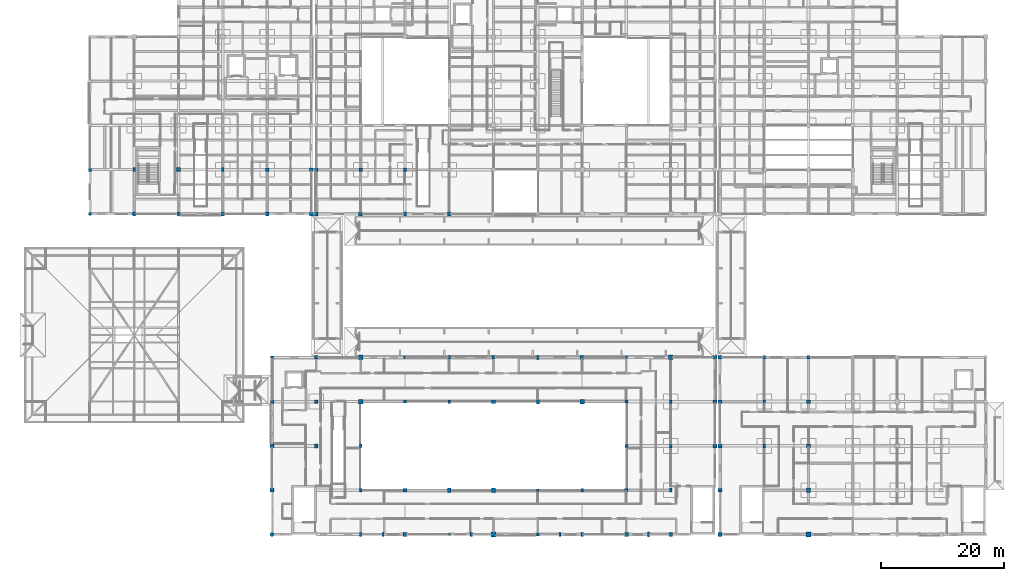
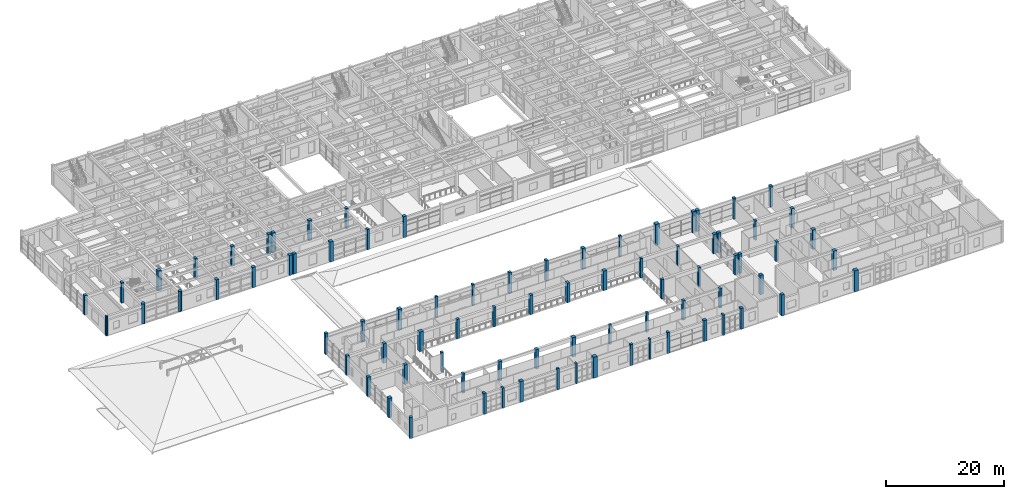
# One storey, part 1 of 110: 82 columns.
"""IFC4 building model written with IfcOpenShell, lengths in metres."""

from ifc_helpers import new_model, si_unit, direction, frame, origin, origin_2d, place, context, subcontext, project, spatial, rectangle, circle, extrude, material, material_profile, profile_set, type_object, element, save


model = new_model("IFC4")

# Units and contexts
model_context = context("Model", 3, precision=1e-05, world=origin(), true_north=direction((0.0, 1.0)))
body_context = subcontext(model_context, "Body", "Model", "MODEL_VIEW")
ifc_project = project(units=[si_unit("LENGTHUNIT", "METRE"), si_unit("AREAUNIT", "SQUARE_METRE"), si_unit("VOLUMEUNIT", "CUBIC_METRE"), si_unit("PLANEANGLEUNIT", "RADIAN"), si_unit("MASSUNIT", "GRAM", prefix="KILO")], contexts=[model_context])

# Site, building, storey
site_placement = place(None, origin())
site = spatial("IfcSite", under=ifc_project, at=site_placement, CompositionType="ELEMENT")
building_placement = place(site_placement, origin())
building = spatial("IfcBuilding", under=site, at=building_placement, Name="Steenspoor Specialist Clinic", CompositionType="ELEMENT")
storey_placement = place(building_placement, frame((0.0, 0.0, 4.800048828125)))
storey = spatial("IfcBuildingStorey", under=building, at=storey_placement, Name="L01", CompositionType="ELEMENT", Elevation=4.800048828125)

# Columns
ifc_material = material(Name="Concrete C40/50", Category="concrete")
ifc_material_profile_1 = material_profile(ifc_material, rectangle(XDim=0.39990234375, YDim=0.39990234375, at=origin_2d()), Name="RC-COL-400X400")
ifc_profile_set_1 = profile_set([ifc_material_profile_1], Name="Concrete C40/50")
column_type_1 = type_object("IfcColumnType", Name="COL-RC-400", PredefinedType="COLUMN", material=ifc_profile_set_1)
for number, where, z_axis, x_axis, name in (
    (1, (74.0, 13.050048828125, 0.0), (0.0, 0.0, 1.0), (1.0, 0.0, 0.0), "Column COL-L01-0037"),
    (2, (102.800048828125, 41.85009765625, 0.0), (0.0, 0.0, 1.0), (1.0, 0.0, 0.0), "Column COL-L01-0081"),
):
    element("IfcColumn", number, at=place(storey_placement, frame(where, z_axis=z_axis, x_axis=x_axis)), inside=storey, type_object=column_type_1, Name=name, PredefinedType="COLUMN", context=body_context, shape_type="SweptSolid", body=[
        extrude(rectangle(XDim=0.39990234375, YDim=0.39990234375, at=origin_2d()), origin(), (0.0, 0.0, 1.0), 4.35986328125),
    ])
ifc_material_profile_2 = material_profile(ifc_material, rectangle(XDim=0.39990234375, YDim=0.550048828125, at=origin_2d()), Name="RC-COL-400X550")
ifc_profile_set_2 = profile_set([ifc_material_profile_2], Name="Concrete C40/50")
column_type_2 = type_object("IfcColumnType", Name="COL-RC-400X550", PredefinedType="COLUMN", material=ifc_profile_set_2)
column_1_placement = place(storey_placement, frame((59.60009765625, 27.449951171875, 0.0), z_axis=(0.0, 0.0, 1.0), x_axis=(1.0, 0.0, 0.0)))
element("IfcColumn", 3, at=column_1_placement, inside=storey, type_object=column_type_2, Name="Column COL-L01-0022", PredefinedType="COLUMN", context=body_context, shape_type="SweptSolid", body=[
    extrude(rectangle(XDim=0.39990234375, YDim=0.550048828125, at=origin_2d()), origin(), (0.0, 0.0, 1.0), 4.050048828125),
])
column_2_placement = place(storey_placement, frame((74.0, 41.85009765625, 0.0), z_axis=(0.0, 0.0, 1.0), x_axis=(1.0, 0.0, 0.0)))
element("IfcColumn", 4, at=column_2_placement, inside=storey, type_object=column_type_2, Name="Column COL-L01-0044", PredefinedType="COLUMN", context=body_context, shape_type="SweptSolid", body=[
    extrude(rectangle(XDim=0.39990234375, YDim=0.550048828125, at=origin_2d()), origin(), (0.0, 0.0, 1.0), 4.35986328125),
])
for number, where, z_axis, x_axis, name in (
    (5, (95.60009765625, 20.25, 0.0), (0.0, 0.0, 1.0), (1.0, 0.0, 0.0), "Column COL-L01-0066"),
    (6, (110.0, 34.64990234375, 0.0), (0.0, 0.0, 1.0), (1.0, 0.0, 0.0), "Column COL-L01-0089"),
):
    element("IfcColumn", number, at=place(storey_placement, frame(where, z_axis=z_axis, x_axis=x_axis)), inside=storey, type_object=column_type_2, Name=name, PredefinedType="COLUMN", context=body_context, shape_type="SweptSolid", body=[
        extrude(rectangle(XDim=0.39990234375, YDim=0.550048828125, at=origin_2d()), origin(), (0.0, 0.0, 1.0), 4.050048828125),
    ])
column_3_placement = place(storey_placement, frame((125.199951171875, 41.85009765625, 0.0), z_axis=(0.0, 0.0, 1.0), x_axis=(1.0, 0.0, 0.0)))
element("IfcColumn", 7, at=column_3_placement, inside=storey, type_object=column_type_2, Name="Column COL-L01-0113", PredefinedType="COLUMN", context=body_context, shape_type="SweptSolid", body=[
    extrude(rectangle(XDim=0.39990234375, YDim=0.550048828125, at=origin_2d()), origin(), (0.0, 0.0, 1.0), 4.35986328125),
])
ifc_material_profile_3 = material_profile(ifc_material, rectangle(XDim=0.449951171875, YDim=0.449951171875, at=origin_2d()), Name="RC-COL-450X450")
ifc_profile_set_3 = profile_set([ifc_material_profile_3], Name="Concrete C40/50")
column_type_3 = type_object("IfcColumnType", Name="COL-RC-450", PredefinedType="COLUMN", material=ifc_profile_set_3)
column_4_placement = place(storey_placement, frame((66.800048828125, 41.85009765625, 0.0), z_axis=(0.0, 0.0, 1.0), x_axis=(1.0, 0.0, 0.0)))
element("IfcColumn", 8, at=column_4_placement, inside=storey, type_object=column_type_3, Name="Column COL-L01-0035", PredefinedType="COLUMN", context=body_context, shape_type="SweptSolid", body=[
    extrude(rectangle(XDim=0.449951171875, YDim=0.449951171875, at=origin_2d()), origin(), (0.0, 0.0, 1.0), 4.35986328125),
])
for number, where, z_axis, x_axis, name in (
    (9, (88.39990234375, 20.25, 0.0), (0.0, 0.0, 1.0), (1.0, 0.0, 0.0), "Column COL-L01-0057"),
    (10, (102.800048828125, 34.64990234375, 0.0), (0.0, 0.0, 1.0), (1.0, 0.0, 0.0), "Column COL-L01-0079"),
):
    element("IfcColumn", number, at=place(storey_placement, frame(where, z_axis=z_axis, x_axis=x_axis)), inside=storey, type_object=column_type_3, Name=name, PredefinedType="COLUMN", context=body_context, shape_type="SweptSolid", body=[
        extrude(rectangle(XDim=0.449951171875, YDim=0.449951171875, at=origin_2d()), origin(), (0.0, 0.0, 1.0), 4.050048828125),
    ])
ifc_material_profile_4 = material_profile(ifc_material, rectangle(XDim=0.449951171875, YDim=0.60009765625, at=origin_2d()), Name="RC-COL-450X600")
ifc_profile_set_4 = profile_set([ifc_material_profile_4], Name="Concrete C40/50")
column_type_4 = type_object("IfcColumnType", Name="COL-RC-450X600", PredefinedType="COLUMN", material=ifc_profile_set_4)
for number, where, z_axis, x_axis, name in (
    (11, (59.60009765625, 20.25, 0.0), (0.0, 0.0, 1.0), (1.0, 0.0, 0.0), "Column COL-L01-0020"),
    (12, (74.0, 34.64990234375, 0.0), (0.0, 0.0, 1.0), (1.0, 0.0, 0.0), "Column COL-L01-0042"),
):
    element("IfcColumn", number, at=place(storey_placement, frame(where, z_axis=z_axis, x_axis=x_axis)), inside=storey, type_object=column_type_4, Name=name, PredefinedType="COLUMN", context=body_context, shape_type="SweptSolid", body=[
        extrude(rectangle(XDim=0.449951171875, YDim=0.60009765625, at=origin_2d()), origin(), (0.0, 0.0, 1.0), 4.050048828125),
    ])
column_5_placement = place(storey_placement, frame((95.60009765625, 13.050048828125, 0.0), z_axis=(0.0, 0.0, 1.0), x_axis=(1.0, 0.0, 0.0)))
element("IfcColumn", 13, at=column_5_placement, inside=storey, type_object=column_type_4, Name="Column COL-L01-0064", PredefinedType="COLUMN", context=body_context, shape_type="SweptSolid", body=[
    extrude(rectangle(XDim=0.449951171875, YDim=0.60009765625, at=origin_2d()), origin(), (0.0, 0.0, 1.0), 4.35986328125),
])
for number, where, z_axis, x_axis, name in (
    (14, (110.0, 27.449951171875, 0.0), (0.0, 0.0, 1.0), (1.0, 0.0, 0.0), "Column COL-L01-0087"),
    (15, (125.199951171875, 34.64990234375, 0.0), (0.0, 0.0, 1.0), (1.0, 0.0, 0.0), "Column COL-L01-0111"),
):
    element("IfcColumn", number, at=place(storey_placement, frame(where, z_axis=z_axis, x_axis=x_axis)), inside=storey, type_object=column_type_4, Name=name, PredefinedType="COLUMN", context=body_context, shape_type="SweptSolid", body=[
        extrude(rectangle(XDim=0.449951171875, YDim=0.60009765625, at=origin_2d()), origin(), (0.0, 0.0, 1.0), 4.050048828125),
    ])
column_6_placement = place(storey_placement, frame((66.800048828125, 72.35009765625, 0.0), z_axis=(0.0, 0.0, 1.0), x_axis=(1.0, 0.0, 0.0)))
element("IfcColumn", 16, at=column_6_placement, inside=storey, type_object=column_type_4, Name="Column COL-L01-0244", PredefinedType="COLUMN", context=body_context, shape_type="SweptSolid", body=[
    extrude(rectangle(XDim=0.449951171875, YDim=0.60009765625, at=origin_2d()), origin(), (0.0, 0.0, 1.0), 4.199951171875),
])
ifc_material_profile_5 = material_profile(ifc_material, rectangle(XDim=0.449951171875, YDim=0.64990234375, at=origin_2d()), Name="RC-COL-450X650")
ifc_profile_set_5 = profile_set([ifc_material_profile_5], Name="Concrete C40/50")
column_type_5 = type_object("IfcColumnType", Name="COL-RC-450X650", PredefinedType="COLUMN", material=ifc_profile_set_5)
for number, where, z_axis, x_axis, name in (
    (17, (59.60009765625, 13.050048828125, 0.0), (0.0, 0.0, 1.0), (1.0, 0.0, 0.0), "Column COL-L01-0018"),
    (18, (88.39990234375, 41.85009765625, 0.0), (0.0, 0.0, 1.0), (1.0, 0.0, 0.0), "Column COL-L01-0062"),
):
    element("IfcColumn", number, at=place(storey_placement, frame(where, z_axis=z_axis, x_axis=x_axis)), inside=storey, type_object=column_type_5, Name=name, PredefinedType="COLUMN", context=body_context, shape_type="SweptSolid", body=[
        extrude(rectangle(XDim=0.449951171875, YDim=0.64990234375, at=origin_2d()), origin(), (0.0, 0.0, 1.0), 4.35986328125),
    ])
for number, where, z_axis, x_axis, name in (
    (19, (110.0, 20.25, 0.0), (0.0, 0.0, 1.0), (1.0, 0.0, 0.0), "Column COL-L01-0085"),
    (20, (125.199951171875, 27.449951171875, 0.0), (0.0, 0.0, 1.0), (1.0, 0.0, 0.0), "Column COL-L01-0109"),
):
    element("IfcColumn", number, at=place(storey_placement, frame(where, z_axis=z_axis, x_axis=x_axis)), inside=storey, type_object=column_type_5, Name=name, PredefinedType="COLUMN", context=body_context, shape_type="SweptSolid", body=[
        extrude(rectangle(XDim=0.449951171875, YDim=0.64990234375, at=origin_2d()), origin(), (0.0, 0.0, 1.0), 4.050048828125),
    ])
for number, where, z_axis, x_axis, name in (
    (21, (66.800048828125, 65.14990234375, 0.0), (0.0, 0.0, 1.0), (1.0, 0.0, 0.0), "Column COL-L01-0241"),
    (22, (22.800048828125, 72.35009765625, 0.0), (0.0, 0.0, 1.0), (1.0, 0.0, 0.0), "Column COL-L01-0520"),
    (23, (37.199951171875, 72.35009765625, 0.0), (0.0, 0.0, 1.0), (1.0, 0.0, 0.0), "Column COL-L01-0566"),
):
    element("IfcColumn", number, at=place(storey_placement, frame(where, z_axis=z_axis, x_axis=x_axis)), inside=storey, type_object=column_type_5, Name=name, PredefinedType="COLUMN", context=body_context, shape_type="SweptSolid", body=[
        extrude(rectangle(XDim=0.449951171875, YDim=0.64990234375, at=origin_2d()), origin(), (0.0, 0.0, 1.0), 4.199951171875),
    ])
ifc_material_profile_6 = material_profile(ifc_material, rectangle(XDim=0.5, YDim=0.5, at=origin_2d()), Name="RC-COL-500X500")
ifc_profile_set_6 = profile_set([ifc_material_profile_6], Name="Concrete C40/50")
column_type_6 = type_object("IfcColumnType", Name="COL-RC-500", PredefinedType="COLUMN", material=ifc_profile_set_6)
column_7_placement = place(storey_placement, frame((45.199951171875, 41.85009765625, 0.0), z_axis=(0.0, 0.0, 1.0), x_axis=(1.0, 0.0, 0.0)))
element("IfcColumn", 24, at=column_7_placement, inside=storey, type_object=column_type_6, Name="Column COL-L01-0010", PredefinedType="COLUMN", context=body_context, shape_type="SweptSolid", body=[
    extrude(rectangle(XDim=0.5, YDim=0.5, at=origin_2d()), origin(), (0.0, 0.0, 1.0), 4.35986328125),
])
column_8_placement = place(storey_placement, frame((66.800048828125, 34.64990234375, 0.0), z_axis=(0.0, 0.0, 1.0), x_axis=(1.0, 0.0, 0.0)))
element("IfcColumn", 25, at=column_8_placement, inside=storey, type_object=column_type_6, Name="Column COL-L01-0033", PredefinedType="COLUMN", context=body_context, shape_type="SweptSolid", body=[
    extrude(rectangle(XDim=0.5, YDim=0.5, at=origin_2d()), origin(), (0.0, 0.0, 1.0), 4.050048828125),
])
column_9_placement = place(storey_placement, frame((88.39990234375, 13.050048828125, 0.0), z_axis=(0.0, 0.0, 1.0), x_axis=(1.0, 0.0, 0.0)))
element("IfcColumn", 26, at=column_9_placement, inside=storey, type_object=column_type_6, Name="Column COL-L01-0055", PredefinedType="COLUMN", context=body_context, shape_type="SweptSolid", body=[
    extrude(rectangle(XDim=0.5, YDim=0.5, at=origin_2d()), origin(), (0.0, 0.0, 1.0), 4.35986328125),
])
column_10_placement = place(storey_placement, frame((102.800048828125, 27.449951171875, 0.0), z_axis=(0.0, 0.0, 1.0), x_axis=(1.0, 0.0, 0.0)))
element("IfcColumn", 27, at=column_10_placement, inside=storey, type_object=column_type_6, Name="Column COL-L01-0077", PredefinedType="COLUMN", context=body_context, shape_type="SweptSolid", body=[
    extrude(rectangle(XDim=0.5, YDim=0.5, at=origin_2d()), origin(), (0.0, 0.0, 1.0), 4.050048828125),
])
ifc_material_profile_7 = material_profile(ifc_material, rectangle(XDim=0.5, YDim=0.699951171875, at=origin_2d()), Name="RC-COL-500X700")
ifc_profile_set_7 = profile_set([ifc_material_profile_7], Name="Concrete C40/50")
column_type_7 = type_object("IfcColumnType", Name="COL-RC-500X700", PredefinedType="COLUMN", material=ifc_profile_set_7)
for number, where, z_axis, x_axis, name in (
    (28, (74.0, 20.25, 0.0), (0.0, 0.0, 1.0), (1.0, 0.0, 0.0), "Column COL-L01-0039"),
    (29, (88.39990234375, 34.64990234375, 0.0), (0.0, 0.0, 1.0), (1.0, 0.0, 0.0), "Column COL-L01-0060"),
):
    element("IfcColumn", number, at=place(storey_placement, frame(where, z_axis=z_axis, x_axis=x_axis)), inside=storey, type_object=column_type_7, Name=name, PredefinedType="COLUMN", context=body_context, shape_type="SweptSolid", body=[
        extrude(rectangle(XDim=0.5, YDim=0.699951171875, at=origin_2d()), origin(), (0.0, 0.0, 1.0), 4.050048828125),
    ])
column_11_placement = place(storey_placement, frame((110.0, 13.050048828125, 0.0), z_axis=(0.0, 0.0, 1.0), x_axis=(1.0, 0.0, 0.0)))
element("IfcColumn", 30, at=column_11_placement, inside=storey, type_object=column_type_7, Name="Column COL-L01-0083", PredefinedType="COLUMN", context=body_context, shape_type="SweptSolid", body=[
    extrude(rectangle(XDim=0.5, YDim=0.699951171875, at=origin_2d()), origin(), (0.0, 0.0, 1.0), 4.35986328125),
])
column_12_placement = place(storey_placement, frame((37.199951171875, 65.14990234375, 0.0), z_axis=(0.0, 0.0, 1.0), x_axis=(1.0, 0.0, 0.0)))
element("IfcColumn", 31, at=column_12_placement, inside=storey, type_object=column_type_7, Name="Column COL-L01-0563", PredefinedType="COLUMN", context=body_context, shape_type="SweptSolid", body=[
    extrude(rectangle(XDim=0.5, YDim=0.699951171875, at=origin_2d()), origin(), (0.0, 0.0, 1.0), 4.199951171875),
])
ifc_material_profile_8 = material_profile(ifc_material, rectangle(XDim=0.550048828125, YDim=0.550048828125, at=origin_2d()), Name="RC-COL-550X550")
ifc_profile_set_8 = profile_set([ifc_material_profile_8], Name="Concrete C40/50")
column_type_8 = type_object("IfcColumnType", Name="COL-RC-550", PredefinedType="COLUMN", material=ifc_profile_set_8)
column_13_placement = place(storey_placement, frame((45.199951171875, 34.64990234375, 0.0), z_axis=(0.0, 0.0, 1.0), x_axis=(1.0, 0.0, 0.0)))
element("IfcColumn", 32, at=column_13_placement, inside=storey, type_object=column_type_8, Name="Column COL-L01-0008", PredefinedType="COLUMN", context=body_context, shape_type="SweptSolid", body=[
    extrude(rectangle(XDim=0.550048828125, YDim=0.550048828125, at=origin_2d()), origin(), (0.0, 0.0, 1.0), 4.050048828125),
])
column_14_placement = place(storey_placement, frame((81.199951171875, 41.85009765625, 0.0), z_axis=(0.0, 0.0, 1.0), x_axis=(1.0, 0.0, 0.0)))
element("IfcColumn", 33, at=column_14_placement, inside=storey, type_object=column_type_8, Name="Column COL-L01-0053", PredefinedType="COLUMN", context=body_context, shape_type="SweptSolid", body=[
    extrude(rectangle(XDim=0.550048828125, YDim=0.550048828125, at=origin_2d()), origin(), (0.0, 0.0, 1.0), 4.35986328125),
])
column_15_placement = place(storey_placement, frame((102.800048828125, 20.25, 0.0), z_axis=(0.0, 0.0, 1.0), x_axis=(1.0, 0.0, 0.0)))
element("IfcColumn", 34, at=column_15_placement, inside=storey, type_object=column_type_8, Name="Column COL-L01-0075", PredefinedType="COLUMN", context=body_context, shape_type="SweptSolid", body=[
    extrude(rectangle(XDim=0.550048828125, YDim=0.550048828125, at=origin_2d()), origin(), (0.0, 0.0, 1.0), 4.050048828125),
])
column_16_placement = place(storey_placement, frame((132.39990234375, 41.85009765625, 0.0), z_axis=(0.0, 0.0, 1.0), x_axis=(1.0, 0.0, 0.0)))
element("IfcColumn", 35, at=column_16_placement, inside=storey, type_object=column_type_8, Name="Column COL-L01-0123", PredefinedType="COLUMN", context=body_context, shape_type="SweptSolid", body=[
    extrude(rectangle(XDim=0.550048828125, YDim=0.550048828125, at=origin_2d()), origin(), (0.0, 0.0, 1.0), 4.35986328125),
])
column_17_placement = place(storey_placement, frame((15.60009765625, 72.35009765625, 0.0), z_axis=(0.0, 0.0, 1.0), x_axis=(1.0, 0.0, 0.0)))
element("IfcColumn", 36, at=column_17_placement, inside=storey, type_object=column_type_8, Name="Column COL-L01-0509", PredefinedType="COLUMN", context=body_context, shape_type="SweptSolid", body=[
    extrude(rectangle(XDim=0.550048828125, YDim=0.550048828125, at=origin_2d()), origin(), (0.0, 0.0, 1.0), 4.050048828125),
])
column_18_placement = place(storey_placement, frame((44.39990234375, 72.35009765625, 0.0), z_axis=(0.0, 0.0, 1.0), x_axis=(1.0, 0.0, 0.0)))
element("IfcColumn", 37, at=column_18_placement, inside=storey, type_object=column_type_8, Name="Column COL-L01-0593", PredefinedType="COLUMN", context=body_context, shape_type="SweptSolid", body=[
    extrude(rectangle(XDim=0.550048828125, YDim=0.550048828125, at=origin_2d()), origin(), (0.0, 0.0, 1.0), 4.199951171875),
])
ifc_material_profile_9 = material_profile(ifc_material, rectangle(XDim=0.60009765625, YDim=0.60009765625, at=origin_2d()), Name="RC-COL-600X600")
ifc_profile_set_9 = profile_set([ifc_material_profile_9], Name="Concrete C40/50")
column_type_9 = type_object("IfcColumnType", Name="COL-RC-600", PredefinedType="COLUMN", material=ifc_profile_set_9)
for number, where, z_axis, x_axis, name in (
    (38, (45.199951171875, 27.449951171875, 0.0), (0.0, 0.0, 1.0), (1.0, 0.0, 0.0), "Column COL-L01-0006"),
    (39, (52.39990234375, 27.449951171875, 0.0), (0.0, 0.0, 1.0), (1.0, 0.0, 0.0), "Column COL-L01-0012"),
    (40, (52.39990234375, 34.64990234375, 0.0), (0.0, 0.0, 1.0), (1.0, 0.0, 0.0), "Column COL-L01-0014"),
):
    element("IfcColumn", number, at=place(storey_placement, frame(where, z_axis=z_axis, x_axis=x_axis)), inside=storey, type_object=column_type_9, Name=name, PredefinedType="COLUMN", context=body_context, shape_type="SweptSolid", body=[
        extrude(rectangle(XDim=0.60009765625, YDim=0.60009765625, at=origin_2d()), origin(), (0.0, 0.0, 1.0), 4.050048828125),
    ])
column_19_placement = place(storey_placement, frame((52.39990234375, 41.85009765625, 0.0), z_axis=(0.0, 0.0, 1.0), x_axis=(1.0, 0.0, 0.0)))
element("IfcColumn", 41, at=column_19_placement, inside=storey, type_object=column_type_9, Name="Column COL-L01-0016", PredefinedType="COLUMN", context=body_context, shape_type="SweptSolid", body=[
    extrude(rectangle(XDim=0.60009765625, YDim=0.60009765625, at=origin_2d()), origin(), (0.0, 0.0, 1.0), 4.35986328125),
])
for number, where, z_axis, x_axis, name in (
    (42, (66.800048828125, 20.25, 0.0), (0.0, 0.0, 1.0), (1.0, 0.0, 0.0), "Column COL-L01-0030"),
    (43, (81.199951171875, 34.64990234375, 0.0), (0.0, 0.0, 1.0), (1.0, 0.0, 0.0), "Column COL-L01-0051"),
):
    element("IfcColumn", number, at=place(storey_placement, frame(where, z_axis=z_axis, x_axis=x_axis)), inside=storey, type_object=column_type_9, Name=name, PredefinedType="COLUMN", context=body_context, shape_type="SweptSolid", body=[
        extrude(rectangle(XDim=0.60009765625, YDim=0.60009765625, at=origin_2d()), origin(), (0.0, 0.0, 1.0), 4.050048828125),
    ])
column_20_placement = place(storey_placement, frame((102.800048828125, 13.050048828125, 0.0), z_axis=(0.0, 0.0, 1.0), x_axis=(1.0, 0.0, 0.0)))
element("IfcColumn", 44, at=column_20_placement, inside=storey, type_object=column_type_9, Name="Column COL-L01-0073", PredefinedType="COLUMN", context=body_context, shape_type="SweptSolid", body=[
    extrude(rectangle(XDim=0.60009765625, YDim=0.60009765625, at=origin_2d()), origin(), (0.0, 0.0, 1.0), 4.35986328125),
])
for number, where, z_axis, x_axis, name in (
    (45, (117.199951171875, 27.449951171875, 0.0), (0.0, 0.0, 1.0), (1.0, 0.0, 0.0), "Column COL-L01-0093"),
    (46, (117.199951171875, 34.64990234375, 0.0), (0.0, 0.0, 1.0), (1.0, 0.0, 0.0), "Column COL-L01-0095"),
):
    element("IfcColumn", number, at=place(storey_placement, frame(where, z_axis=z_axis, x_axis=x_axis)), inside=storey, type_object=column_type_9, Name=name, PredefinedType="COLUMN", context=body_context, shape_type="SweptSolid", body=[
        extrude(rectangle(XDim=0.60009765625, YDim=0.60009765625, at=origin_2d()), origin(), (0.0, 0.0, 1.0), 4.050048828125),
    ])
for number, where, z_axis, x_axis, name in (
    (47, (117.199951171875, 41.85009765625, 0.0), (0.0, 0.0, 1.0), (1.0, 0.0, 0.0), "Column COL-L01-0097"),
    (48, (118.0, 13.050048828125, 0.0), (0.0, 0.0, 1.0), (1.0, 0.0, 0.0), "Column COL-L01-0099"),
):
    element("IfcColumn", number, at=place(storey_placement, frame(where, z_axis=z_axis, x_axis=x_axis)), inside=storey, type_object=column_type_9, Name=name, PredefinedType="COLUMN", context=body_context, shape_type="SweptSolid", body=[
        extrude(rectangle(XDim=0.60009765625, YDim=0.60009765625, at=origin_2d()), origin(), (0.0, 0.0, 1.0), 4.35986328125),
    ])
for number, where, z_axis, x_axis, name in (
    (49, (118.0, 20.25, 0.0), (0.0, 0.0, 1.0), (1.0, 0.0, 0.0), "Column COL-L01-0101"),
    (50, (118.0, 27.449951171875, 0.0), (0.0, 0.0, 1.0), (1.0, 0.0, 0.0), "Column COL-L01-0103"),
    (51, (118.0, 34.64990234375, 0.0), (0.0, 0.0, 1.0), (1.0, 0.0, 0.0), "Column COL-L01-0105"),
):
    element("IfcColumn", number, at=place(storey_placement, frame(where, z_axis=z_axis, x_axis=x_axis)), inside=storey, type_object=column_type_9, Name=name, PredefinedType="COLUMN", context=body_context, shape_type="SweptSolid", body=[
        extrude(rectangle(XDim=0.60009765625, YDim=0.60009765625, at=origin_2d()), origin(), (0.0, 0.0, 1.0), 4.050048828125),
    ])
column_21_placement = place(storey_placement, frame((118.0, 41.85009765625, 0.0), z_axis=(0.0, 0.0, 1.0), x_axis=(1.0, 0.0, 0.0)))
element("IfcColumn", 52, at=column_21_placement, inside=storey, type_object=column_type_9, Name="Column COL-L01-0107", PredefinedType="COLUMN", context=body_context, shape_type="SweptSolid", body=[
    extrude(rectangle(XDim=0.60009765625, YDim=0.60009765625, at=origin_2d()), origin(), (0.0, 0.0, 1.0), 4.35986328125),
])
column_22_placement = place(storey_placement, frame((132.39990234375, 34.64990234375, 0.0), z_axis=(0.0, 0.0, 1.0), x_axis=(1.0, 0.0, 0.0)))
element("IfcColumn", 53, at=column_22_placement, inside=storey, type_object=column_type_9, Name="Column COL-L01-0121", PredefinedType="COLUMN", context=body_context, shape_type="SweptSolid", body=[
    extrude(rectangle(XDim=0.60009765625, YDim=0.60009765625, at=origin_2d()), origin(), (0.0, 0.0, 1.0), 4.050048828125),
])
for number, where, z_axis, x_axis, name in (
    (54, (52.39990234375, 65.14990234375, 0.0), (0.0, 0.0, 1.0), (1.0, 0.0, 0.0), "Column COL-L01-0181"),
    (55, (52.39990234375, 72.35009765625, 0.0), (0.0, 0.0, 1.0), (1.0, 0.0, 0.0), "Column COL-L01-0184"),
    (56, (59.60009765625, 72.35009765625, 0.0), (0.0, 0.0, 1.0), (1.0, 0.0, 0.0), "Column COL-L01-0211"),
):
    element("IfcColumn", number, at=place(storey_placement, frame(where, z_axis=z_axis, x_axis=x_axis)), inside=storey, type_object=column_type_9, Name=name, PredefinedType="COLUMN", context=body_context, shape_type="SweptSolid", body=[
        extrude(rectangle(XDim=0.60009765625, YDim=0.60009765625, at=origin_2d()), origin(), (0.0, 0.0, 1.0), 4.199951171875),
    ])
column_23_placement = place(storey_placement, frame((74.0, 65.14990234375, 0.0), z_axis=(0.0, 0.0, 1.0), x_axis=(1.0, 0.0, 0.0)))
element("IfcColumn", 57, at=column_23_placement, inside=storey, type_object=column_type_9, Name="Column COL-L01-0270", PredefinedType="COLUMN", context=body_context, shape_type="SweptSolid", body=[
    extrude(rectangle(XDim=0.60009765625, YDim=0.60009765625, at=origin_2d()), origin(), (0.0, 0.0, 1.0), 4.35986328125),
])
for number, where, z_axis, x_axis, name in (
    (58, (44.39990234375, 65.14990234375, 0.0), (0.0, 0.0, 1.0), (1.0, 0.0, 0.0), "Column COL-L01-0590"),
    (59, (51.60009765625, 65.14990234375, 0.0), (0.0, 0.0, 1.0), (1.0, 0.0, 0.0), "Column COL-L01-0617"),
    (60, (51.60009765625, 72.35009765625, 0.0), (0.0, 0.0, 1.0), (1.0, 0.0, 0.0), "Column COL-L01-0620"),
):
    element("IfcColumn", number, at=place(storey_placement, frame(where, z_axis=z_axis, x_axis=x_axis)), inside=storey, type_object=column_type_9, Name=name, PredefinedType="COLUMN", context=body_context, shape_type="SweptSolid", body=[
        extrude(rectangle(XDim=0.60009765625, YDim=0.60009765625, at=origin_2d()), origin(), (0.0, 0.0, 1.0), 4.199951171875),
    ])
ifc_material_profile_10 = material_profile(ifc_material, rectangle(XDim=0.64990234375, YDim=0.64990234375, at=origin_2d()), Name="RC-COL-650X650")
ifc_profile_set_10 = profile_set([ifc_material_profile_10], Name="Concrete C40/50")
column_type_10 = type_object("IfcColumnType", Name="COL-RC-650", PredefinedType="COLUMN", material=ifc_profile_set_10)
column_24_placement = place(storey_placement, frame((45.199951171875, 20.25, 0.0), z_axis=(0.0, 0.0, 1.0), x_axis=(1.0, 0.0, 0.0)))
element("IfcColumn", 61, at=column_24_placement, inside=storey, type_object=column_type_10, Name="Column COL-L01-0004", PredefinedType="COLUMN", context=body_context, shape_type="SweptSolid", body=[
    extrude(rectangle(XDim=0.64990234375, YDim=0.64990234375, at=origin_2d()), origin(), (0.0, 0.0, 1.0), 4.050048828125),
])
for number, where, z_axis, x_axis, name in (
    (62, (66.800048828125, 13.050048828125, 0.0), (0.0, 0.0, 1.0), (1.0, 0.0, 0.0), "Column COL-L01-0028"),
    (63, (95.60009765625, 41.85009765625, 0.0), (0.0, 0.0, 1.0), (1.0, 0.0, 0.0), "Column COL-L01-0071"),
):
    element("IfcColumn", number, at=place(storey_placement, frame(where, z_axis=z_axis, x_axis=x_axis)), inside=storey, type_object=column_type_10, Name=name, PredefinedType="COLUMN", context=body_context, shape_type="SweptSolid", body=[
        extrude(rectangle(XDim=0.64990234375, YDim=0.64990234375, at=origin_2d()), origin(), (0.0, 0.0, 1.0), 4.35986328125),
    ])
column_25_placement = place(storey_placement, frame((132.39990234375, 27.449951171875, 0.0), z_axis=(0.0, 0.0, 1.0), x_axis=(1.0, 0.0, 0.0)))
element("IfcColumn", 64, at=column_25_placement, inside=storey, type_object=column_type_10, Name="Column COL-L01-0119", PredefinedType="COLUMN", context=body_context, shape_type="SweptSolid", body=[
    extrude(rectangle(XDim=0.64990234375, YDim=0.64990234375, at=origin_2d()), origin(), (0.0, 0.0, 1.0), 4.050048828125),
])
for number, where, z_axis, x_axis, name in (
    (65, (59.60009765625, 65.14990234375, 0.0), (0.0, 0.0, 1.0), (1.0, 0.0, 0.0), "Column COL-L01-0208"),
    (66, (30.0, 72.35009765625, 0.0), (0.0, 0.0, 1.0), (1.0, 0.0, 0.0), "Column COL-L01-0539"),
):
    element("IfcColumn", number, at=place(storey_placement, frame(where, z_axis=z_axis, x_axis=x_axis)), inside=storey, type_object=column_type_10, Name=name, PredefinedType="COLUMN", context=body_context, shape_type="SweptSolid", body=[
        extrude(rectangle(XDim=0.64990234375, YDim=0.64990234375, at=origin_2d()), origin(), (0.0, 0.0, 1.0), 4.199951171875),
    ])
ifc_material_profile_11 = material_profile(ifc_material, rectangle(XDim=0.699951171875, YDim=0.699951171875, at=origin_2d()), Name="RC-COL-700X700")
ifc_profile_set_11 = profile_set([ifc_material_profile_11], Name="Concrete C40/50")
column_type_11 = type_object("IfcColumnType", Name="COL-RC-700", PredefinedType="COLUMN", material=ifc_profile_set_11)
column_26_placement = place(storey_placement, frame((59.60009765625, 41.85009765625, 0.0), z_axis=(0.0, 0.0, 1.0), x_axis=(1.0, 0.0, 0.0)))
element("IfcColumn", 67, at=column_26_placement, inside=storey, type_object=column_type_11, Name="Column COL-L01-0026", PredefinedType="COLUMN", context=body_context, shape_type="SweptSolid", body=[
    extrude(rectangle(XDim=0.699951171875, YDim=0.699951171875, at=origin_2d()), origin(), (0.0, 0.0, 1.0), 4.35986328125),
])
for number, where, z_axis, x_axis, name in (
    (68, (81.199951171875, 20.25, 0.0), (0.0, 0.0, 1.0), (1.0, 0.0, 0.0), "Column COL-L01-0048"),
    (69, (95.60009765625, 34.64990234375, 0.0), (0.0, 0.0, 1.0), (1.0, 0.0, 0.0), "Column COL-L01-0069"),
    (70, (132.39990234375, 20.25, 0.0), (0.0, 0.0, 1.0), (1.0, 0.0, 0.0), "Column COL-L01-0117"),
):
    element("IfcColumn", number, at=place(storey_placement, frame(where, z_axis=z_axis, x_axis=x_axis)), inside=storey, type_object=column_type_11, Name=name, PredefinedType="COLUMN", context=body_context, shape_type="SweptSolid", body=[
        extrude(rectangle(XDim=0.699951171875, YDim=0.699951171875, at=origin_2d()), origin(), (0.0, 0.0, 1.0), 4.050048828125),
    ])
ifc_material_profile_12 = material_profile(ifc_material, rectangle(XDim=0.75, YDim=0.75, at=origin_2d()), Name="RC-COL-750X750")
ifc_profile_set_12 = profile_set([ifc_material_profile_12], Name="Concrete C40/50")
column_type_12 = type_object("IfcColumnType", Name="COL-RC-750", PredefinedType="COLUMN", material=ifc_profile_set_12)
column_27_placement = place(storey_placement, frame((59.60009765625, 34.64990234375, 0.0), z_axis=(0.0, 0.0, 1.0), x_axis=(1.0, 0.0, 0.0)))
element("IfcColumn", 71, at=column_27_placement, inside=storey, type_object=column_type_12, Name="Column COL-L01-0024", PredefinedType="COLUMN", context=body_context, shape_type="SweptSolid", body=[
    extrude(rectangle(XDim=0.75, YDim=0.75, at=origin_2d()), origin(), (0.0, 0.0, 1.0), 4.050048828125),
])
for number, where, z_axis, x_axis, name in (
    (72, (81.199951171875, 13.050048828125, 0.0), (0.0, 0.0, 1.0), (1.0, 0.0, 0.0), "Column COL-L01-0046"),
    (73, (110.0, 41.85009765625, 0.0), (0.0, 0.0, 1.0), (1.0, 0.0, 0.0), "Column COL-L01-0091"),
    (74, (132.39990234375, 13.050048828125, 0.0), (0.0, 0.0, 1.0), (1.0, 0.0, 0.0), "Column COL-L01-0115"),
):
    element("IfcColumn", number, at=place(storey_placement, frame(where, z_axis=z_axis, x_axis=x_axis)), inside=storey, type_object=column_type_12, Name=name, PredefinedType="COLUMN", context=body_context, shape_type="SweptSolid", body=[
        extrude(rectangle(XDim=0.75, YDim=0.75, at=origin_2d()), origin(), (0.0, 0.0, 1.0), 4.35986328125),
    ])
ifc_material_profile_13 = material_profile(ifc_material, circle(Radius=0.25, at=origin_2d()), Name="RC-COL-D500")
ifc_profile_set_13 = profile_set([ifc_material_profile_13], Name="Concrete C40/50")
column_type_13 = type_object("IfcColumnType", Name="COL-RC-D500", PredefinedType="COLUMN", material=ifc_profile_set_13)
column_28_placement = place(storey_placement, frame((15.60009765625, 65.14990234375, 0.0), z_axis=(0.0, 0.0, 1.0), x_axis=(1.0, 0.0, 0.0)))
element("IfcColumn", 75, at=column_28_placement, inside=storey, type_object=column_type_13, Name="Column COL-L01-0507", PredefinedType="COLUMN", context=body_context, shape_type="SweptSolid", body=[
    extrude(circle(Radius=0.25, at=origin_2d()), origin(), (0.0, 0.0, 1.0), 4.050048828125),
])
ifc_material_profile_14 = material_profile(ifc_material, circle(Radius=0.324951171875, at=origin_2d()), Name="RC-COL-D650")
ifc_profile_set_14 = profile_set([ifc_material_profile_14], Name="Concrete C40/50")
column_type_14 = type_object("IfcColumnType", Name="COL-RC-D650", PredefinedType="COLUMN", material=ifc_profile_set_14)
column_29_placement = place(storey_placement, frame((45.199951171875, 13.050048828125, 0.0), z_axis=(0.0, 0.0, 1.0), x_axis=(1.0, 0.0, 0.0)))
element("IfcColumn", 76, at=column_29_placement, inside=storey, type_object=column_type_14, Name="Column COL-L01-0002", PredefinedType="COLUMN", context=body_context, shape_type="SweptSolid", body=[
    extrude(circle(Radius=0.324951171875, at=origin_2d()), origin(), (0.0, 0.0, 1.0), 4.35986328125),
])
column_30_placement = place(storey_placement, frame((30.0, 65.14990234375, 0.0), z_axis=(0.0, 0.0, 1.0), x_axis=(1.0, 0.0, 0.0)))
element("IfcColumn", 77, at=column_30_placement, inside=storey, type_object=column_type_14, Name="Column COL-L01-0536", PredefinedType="COLUMN", context=body_context, shape_type="SweptSolid", body=[
    extrude(circle(Radius=0.324951171875, at=origin_2d()), origin(), (0.0, 0.0, 1.0), 4.199951171875),
])
ifc_material_profile_15 = material_profile(ifc_material, circle(Radius=0.35009765625, at=origin_2d()), Name="RC-COL-D700")
ifc_profile_set_15 = profile_set([ifc_material_profile_15], Name="Concrete C40/50")
column_type_15 = type_object("IfcColumnType", Name="COL-RC-D700", PredefinedType="COLUMN", material=ifc_profile_set_15)
column_31_placement = place(storey_placement, frame((22.800048828125, 65.14990234375, 0.0), z_axis=(0.0, 0.0, 1.0), x_axis=(1.0, 0.0, 0.0)))
element("IfcColumn", 78, at=column_31_placement, inside=storey, type_object=column_type_15, Name="Column COL-L01-0517", PredefinedType="COLUMN", context=body_context, shape_type="SweptSolid", body=[
    extrude(circle(Radius=0.35009765625, at=origin_2d()), origin(), (0.0, 0.0, 1.0), 4.199951171875),
])
ifc_material_profile_16 = material_profile(ifc_material, rectangle(XDim=0.280029296875, YDim=0.56005859375, at=origin_2d()), Name="RC-PIL-280X560")
ifc_profile_set_16 = profile_set([ifc_material_profile_16], Name="Concrete C40/50")
column_type_16 = type_object("IfcColumnType", Name="PIL-RC-280X560", PredefinedType="PILASTER", material=ifc_profile_set_16)
column_32_placement = place(storey_placement, frame((92.0, 13.050048828125, 0.0), z_axis=(0.0, 0.0, 1.0), x_axis=(1.0, 0.0, 0.0)))
element("IfcColumn", 79, at=column_32_placement, inside=storey, type_object=column_type_16, Name="Brick Pilaster PIL-L01-006", PredefinedType="PILASTER", context=body_context, shape_type="SweptSolid", body=[
    extrude(rectangle(XDim=0.280029296875, YDim=0.56005859375, at=origin_2d()), origin(), (0.0, 0.0, 1.0), 4.199951171875),
])
ifc_material_profile_17 = material_profile(ifc_material, rectangle(XDim=0.300048828125, YDim=0.6201171875, at=origin_2d()), Name="RC-PIL-300X620")
ifc_profile_set_17 = profile_set([ifc_material_profile_17], Name="Concrete C40/50")
column_type_17 = type_object("IfcColumnType", Name="PIL-RC-300X620", PredefinedType="PILASTER", material=ifc_profile_set_17)
column_33_placement = place(storey_placement, frame((77.60009765625, 13.050048828125, 0.0), z_axis=(0.0, 0.0, 1.0), x_axis=(1.0, 0.0, 0.0)))
element("IfcColumn", 80, at=column_33_placement, inside=storey, type_object=column_type_17, Name="Brick Pilaster PIL-L01-004", PredefinedType="PILASTER", context=body_context, shape_type="SweptSolid", body=[
    extrude(rectangle(XDim=0.300048828125, YDim=0.6201171875, at=origin_2d()), origin(), (0.0, 0.0, 1.0), 4.199951171875),
])
ifc_material_profile_18 = material_profile(ifc_material, rectangle(XDim=0.340087890625, YDim=0.679931640625, at=origin_2d()), Name="RC-PIL-340X680")
ifc_profile_set_18 = profile_set([ifc_material_profile_18], Name="Concrete C40/50")
column_type_18 = type_object("IfcColumnType", Name="PIL-RC-340X680", PredefinedType="PILASTER", material=ifc_profile_set_18)
column_34_placement = place(storey_placement, frame((63.199951171875, 13.050048828125, 0.0), z_axis=(0.0, 0.0, 1.0), x_axis=(1.0, 0.0, 0.0)))
element("IfcColumn", 81, at=column_34_placement, inside=storey, type_object=column_type_18, Name="Brick Pilaster PIL-L01-002", PredefinedType="PILASTER", context=body_context, shape_type="SweptSolid", body=[
    extrude(rectangle(XDim=0.340087890625, YDim=0.679931640625, at=origin_2d()), origin(), (0.0, 0.0, 1.0), 4.199951171875),
])
ifc_material_profile_19 = material_profile(ifc_material, rectangle(XDim=0.3798828125, YDim=0.760009765625, at=origin_2d()), Name="RC-PIL-380X760")
ifc_profile_set_19 = profile_set([ifc_material_profile_19], Name="Concrete C40/50")
column_type_19 = type_object("IfcColumnType", Name="PIL-RC-380X760", PredefinedType="PILASTER", material=ifc_profile_set_19)
column_35_placement = place(storey_placement, frame((106.39990234375, 13.050048828125, 0.0), z_axis=(0.0, 0.0, 1.0), x_axis=(1.0, 0.0, 0.0)))
element("IfcColumn", 82, at=column_35_placement, inside=storey, type_object=column_type_19, Name="Brick Pilaster PIL-L01-008", PredefinedType="PILASTER", context=body_context, shape_type="SweptSolid", body=[
    extrude(rectangle(XDim=0.3798828125, YDim=0.760009765625, at=origin_2d()), origin(), (0.0, 0.0, 1.0), 4.199951171875),
])

save(model, "model.ifc")
